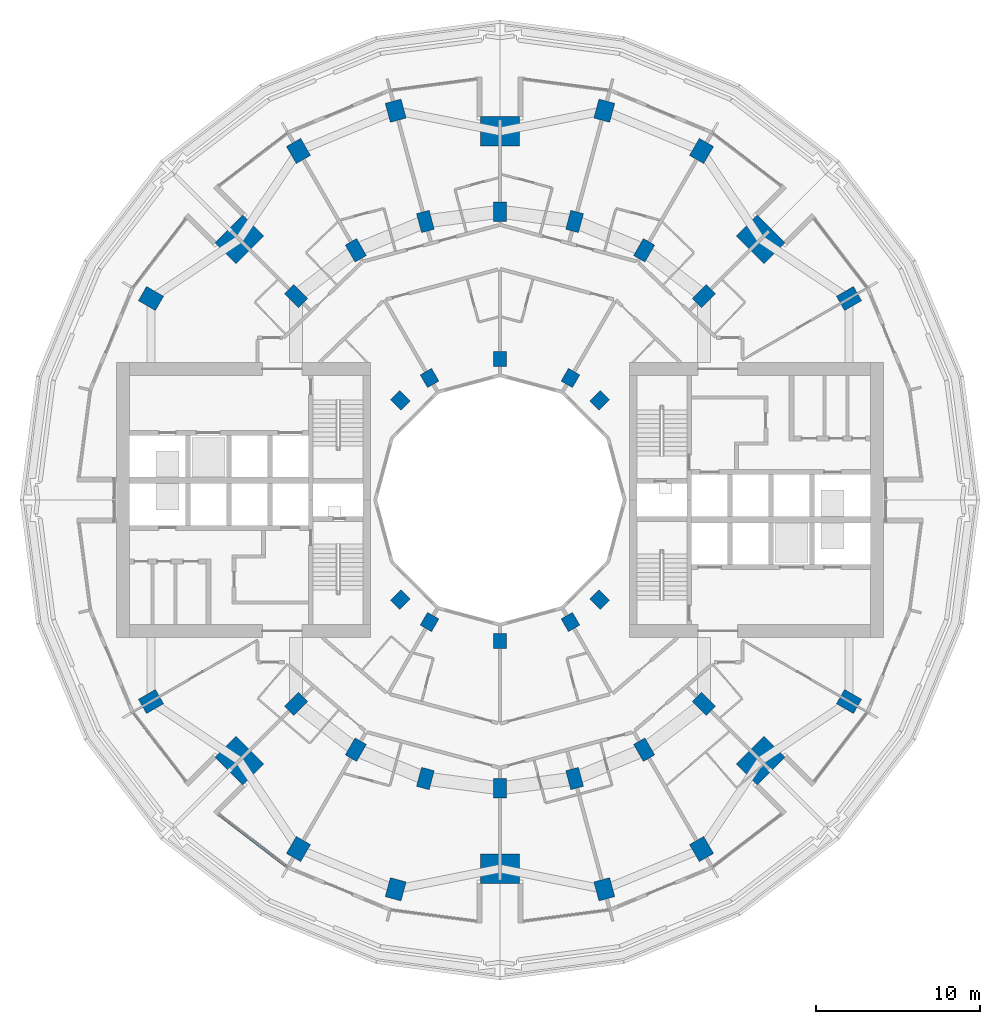
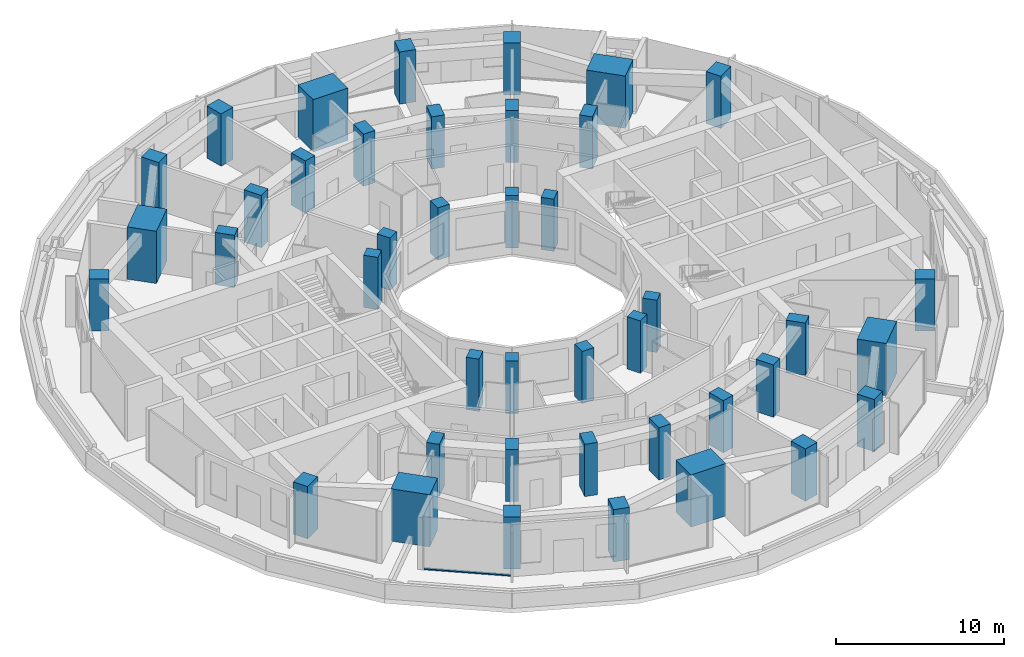
# One storey, part 1 of 19: 42 columns, 1 member, 1 element without a shape of its own.
"""IFC4 building model written with IfcOpenShell, lengths in metres."""

from ifc_helpers import new_model, si_unit, direction, frame, origin, origin_2d, place, context, subcontext, project, spatial, rectangle, extrude, material, layer, layer_set, material_profile, profile_set, type_object, element, aggregate, save


model = new_model("IFC4")

# Units and contexts
model_context = context("Model", 3, precision=1e-05, world=origin(), true_north=direction((0.0, 1.0)))
body_context = subcontext(model_context, "Body", "Model", "MODEL_VIEW")
ifc_project = project(units=[si_unit("LENGTHUNIT", "METRE"), si_unit("AREAUNIT", "SQUARE_METRE"), si_unit("VOLUMEUNIT", "CUBIC_METRE"), si_unit("PLANEANGLEUNIT", "RADIAN"), si_unit("MASSUNIT", "GRAM", prefix="KILO")], contexts=[model_context])

# Site, building, storey
site_placement = place(None, origin())
site = spatial("IfcSite", under=ifc_project, at=site_placement, CompositionType="ELEMENT")
building_placement = place(site_placement, origin())
building = spatial("IfcBuilding", under=site, at=building_placement, Name="Torre Brocal", CompositionType="ELEMENT")
storey_placement = place(building_placement, frame((0.0, 0.0, 28.800048828125)))
storey = spatial("IfcBuildingStorey", under=building, at=storey_placement, Name="L05", CompositionType="ELEMENT", Elevation=28.800048828125)

# Columns
ifc_material_1 = material(Name="Concrete C80", Category="concrete")
ifc_material_profile_1 = material_profile(ifc_material_1, rectangle(XDim=1.199951171875, YDim=1.0, at=origin_2d()), Name="RC 1200X1000")
ifc_profile_set_1 = profile_set([ifc_material_profile_1], Name="Concrete C80")
column_type_1 = type_object("IfcColumnType", Name="RC COLUMN 1200X1000 C80", PredefinedType="COLUMN", material=ifc_profile_set_1)
for number, where, z_axis, x_axis, name in (
    (1, (101.30419921875, 87.300048828125, 0.0), (0.0, 0.0, 1.0), (0.866025403784, 0.5, 0.0), "Column C-O02"),
    (2, (92.300048828125, 96.30419921875, 0.0), (0.0, 0.0, 1.0), (0.5, 0.866025403784, 0.0), "Column C-O04"),
    (3, (86.366943359375, 98.76171875, 0.0), (0.0, 0.0, 1.0), (0.258819045103, 0.965925826289, 0.0), "Column C-O05"),
    (4, (73.633056640625, 98.76171875, 0.0), (0.0, 0.0, 1.0), (-0.258819045103, 0.965925826289, 0.0), "Column C-O07"),
    (5, (67.699951171875, 96.30419921875, 0.0), (0.0, 0.0, 1.0), (-0.5, 0.866025403784, 0.0), "Column C-O08"),
    (6, (58.69580078125, 87.300048828125, 0.0), (0.0, 0.0, 1.0), (-0.866025403784, 0.5, 0.0), "Column C-O10"),
    (7, (58.69580078125, 62.699951171875, 0.0), (0.0, 0.0, 1.0), (-0.866025403784, -0.5, 0.0), "Column C-O14"),
    (8, (67.699951171875, 53.69580078125, 0.0), (0.0, 0.0, 1.0), (-0.5, -0.866025403784, 0.0), "Column C-O16"),
    (9, (73.633056640625, 51.23828125, 0.0), (0.0, 0.0, 1.0), (-0.258819045103, -0.965925826289, 0.0), "Column C-O17"),
    (10, (86.366943359375, 51.23828125, 0.0), (0.0, 0.0, 1.0), (0.258819045103, -0.965925826289, 0.0), "Column C-O19"),
    (11, (92.300048828125, 53.69580078125, 0.0), (0.0, 0.0, 1.0), (0.5, -0.866025403784, 0.0), "Column C-O20"),
    (12, (101.30419921875, 62.699951171875, 0.0), (0.0, 0.0, 1.0), (0.866025403784, -0.5, 0.0), "Column C-O22"),
):
    element("IfcColumn", number, at=place(storey_placement, frame(where, z_axis=z_axis, x_axis=x_axis)), inside=storey, type_object=column_type_1, Name=name, PredefinedType="COLUMN", context=body_context, shape_type="SweptSolid", body=[
        extrude(rectangle(XDim=1.199951171875, YDim=1.0, at=origin_2d()), origin(), (0.0, 0.0, 1.0), 3.800048828125),
    ])
ifc_material_2 = material(Name="Concrete C80", Category="concrete")
ifc_material_profile_2 = material_profile(ifc_material_2, rectangle(XDim=1.199951171875, YDim=0.800048828125, at=origin_2d()), Name="RC 1200X800")
ifc_profile_set_2 = profile_set([ifc_material_profile_2], Name="Concrete C80")
column_type_2 = type_object("IfcColumnType", Name="RC COLUMN 1200X800 C80", PredefinedType="COLUMN", material=ifc_profile_set_2)
for number, where, z_axis, x_axis, name in (
    (13, (92.445068359375, 87.445068359375, 0.0), (0.0, 0.0, 1.0), (0.707106781187, 0.707106781187, 0.0), "Column C-M03"),
    (14, (88.800048828125, 90.241943359375, 0.0), (0.0, 0.0, 1.0), (0.5, 0.866025403784, 0.0), "Column C-M04"),
    (15, (84.55517578125, 92.000244140625, 0.0), (0.0, 0.0, 1.0), (0.258819045103, 0.965925826289, 0.0), "Column C-M05"),
    (16, (80.0, 92.60009765625, 0.0), (0.0, 0.0, 1.0), (0.0, 1.0, 0.0), "Column C-M06"),
    (17, (75.44482421875, 92.000244140625, 0.0), (0.0, 0.0, 1.0), (-0.258819045103, 0.965925826289, 0.0), "Column C-M07"),
    (18, (71.199951171875, 90.241943359375, 0.0), (0.0, 0.0, 1.0), (-0.5, 0.866025403784, 0.0), "Column C-M08"),
    (19, (67.554931640625, 87.445068359375, 0.0), (0.0, 0.0, 1.0), (-0.707106781187, 0.707106781187, 0.0), "Column C-M09"),
    (20, (67.554931640625, 62.554931640625, 0.0), (0.0, 0.0, 1.0), (-0.707106781187, -0.707106781187, 0.0), "Column C-M15"),
    (21, (71.199951171875, 59.758056640625, 0.0), (0.0, 0.0, 1.0), (-0.5, -0.866025403784, 0.0), "Column C-M16"),
    (22, (75.44482421875, 57.999755859375, 0.0), (0.0, 0.0, 1.0), (-0.258819045103, -0.965925826289, 0.0), "Column C-M17"),
    (23, (80.0, 57.39990234375, 0.0), (0.0, 0.0, 1.0), (0.0, -1.0, 0.0), "Column C-M18"),
    (24, (84.55517578125, 57.999755859375, 0.0), (0.0, 0.0, 1.0), (0.258819045103, -0.965925826289, 0.0), "Column C-M19"),
    (25, (88.800048828125, 59.758056640625, 0.0), (0.0, 0.0, 1.0), (0.5, -0.866025403784, 0.0), "Column C-M20"),
    (26, (92.445068359375, 62.554931640625, 0.0), (0.0, 0.0, 1.0), (0.707106781187, -0.707106781187, 0.0), "Column C-M21"),
):
    element("IfcColumn", number, at=place(storey_placement, frame(where, z_axis=z_axis, x_axis=x_axis)), inside=storey, type_object=column_type_2, Name=name, PredefinedType="COLUMN", context=body_context, shape_type="SweptSolid", body=[
        extrude(rectangle(XDim=1.199951171875, YDim=0.800048828125, at=origin_2d()), origin(), (0.0, 0.0, 1.0), 3.800048828125),
    ])
ifc_material_3 = material(Name="Concrete C80", Category="concrete")
ifc_material_profile_3 = material_profile(ifc_material_3, rectangle(XDim=1.800048828125, YDim=2.39990234375, at=origin_2d()), Name="RC 1800X2400")
ifc_profile_set_3 = profile_set([ifc_material_profile_3], Name="Concrete C80")
column_type_3 = type_object("IfcColumnType", Name="RC COLUMN 1800X2400 C80", PredefinedType="COLUMN", material=ifc_profile_set_3)
for number, where, z_axis, x_axis, name in (
    (27, (95.909912109375, 90.909912109375, 0.0), (0.0, 0.0, 1.0), (0.707106781187, 0.707106781187, 0.0), "Column MC-1"),
    (28, (80.0, 97.5, 0.0), (0.0, 0.0, 1.0), (0.0, 1.0, 0.0), "Column MC-2"),
    (29, (64.090087890625, 90.909912109375, 0.0), (0.0, 0.0, 1.0), (-0.707106781187, 0.707106781187, 0.0), "Column MC-3"),
    (30, (64.090087890625, 59.090087890625, 0.0), (0.0, 0.0, 1.0), (-0.707106781187, -0.707106781187, 0.0), "Column MC-5"),
    (31, (80.0, 52.5, 0.0), (0.0, 0.0, 1.0), (0.0, -1.0, 0.0), "Column MC-6"),
    (32, (95.909912109375, 59.090087890625, 0.0), (0.0, 0.0, 1.0), (0.707106781187, -0.707106781187, 0.0), "Column MC-7"),
):
    element("IfcColumn", number, at=place(storey_placement, frame(where, z_axis=z_axis, x_axis=x_axis)), inside=storey, type_object=column_type_3, Name=name, PredefinedType="COLUMN", context=body_context, shape_type="SweptSolid", body=[
        extrude(rectangle(XDim=1.800048828125, YDim=2.39990234375, at=origin_2d()), origin(), (0.0, 0.0, 1.0), 3.800048828125),
    ])
ifc_material_4 = material(Name="Concrete C80", Category="concrete")
ifc_material_profile_4 = material_profile(ifc_material_4, rectangle(XDim=0.89990234375, YDim=0.800048828125, at=origin_2d()), Name="RC 900X800")
ifc_profile_set_4 = profile_set([ifc_material_profile_4], Name="Concrete C80")
column_type_4 = type_object("IfcColumnType", Name="RC COLUMN 900X800 C80", PredefinedType="COLUMN", material=ifc_profile_set_4)
for number, where, z_axis, x_axis, name in (
    (33, (86.0810546875, 81.0810546875, 0.0), (0.0, 0.0, 1.0), (0.707106781187, 0.707106781187, 0.0), "Column C-I03"),
    (34, (84.300048828125, 82.44775390625, 0.0), (0.0, 0.0, 1.0), (0.5, 0.866025403784, 0.0), "Column C-I04"),
    (35, (80.0, 83.60009765625, 0.0), (0.0, 0.0, 1.0), (0.0, 1.0, 0.0), "Column C-I06"),
    (36, (75.699951171875, 82.44775390625, 0.0), (0.0, 0.0, 1.0), (-0.5, 0.866025403784, 0.0), "Column C-I08"),
    (37, (73.9189453125, 81.0810546875, 0.0), (0.0, 0.0, 1.0), (-0.707106781187, 0.707106781187, 0.0), "Column C-I09"),
    (38, (73.9189453125, 68.9189453125, 0.0), (0.0, 0.0, 1.0), (-0.707106781187, -0.707106781187, 0.0), "Column C-I15"),
    (39, (75.699951171875, 67.55224609375, 0.0), (0.0, 0.0, 1.0), (-0.5, -0.866025403784, 0.0), "Column C-I16"),
    (40, (80.0, 66.39990234375, 0.0), (0.0, 0.0, 1.0), (0.0, -1.0, 0.0), "Column C-I18"),
    (41, (84.300048828125, 67.55224609375, 0.0), (0.0, 0.0, 1.0), (0.5, -0.866025403784, 0.0), "Column C-I20"),
    (42, (86.0810546875, 68.9189453125, 0.0), (0.0, 0.0, 1.0), (0.707106781187, -0.707106781187, 0.0), "Column C-I21"),
):
    element("IfcColumn", number, at=place(storey_placement, frame(where, z_axis=z_axis, x_axis=x_axis)), inside=storey, type_object=column_type_4, Name=name, PredefinedType="COLUMN", context=body_context, shape_type="SweptSolid", body=[
        extrude(rectangle(XDim=0.89990234375, YDim=0.800048828125, at=origin_2d()), origin(), (0.0, 0.0, 1.0), 3.800048828125),
    ])

# Curtain wall, member
ifc_material_5 = material(Name="Aluminium and glass", Category="aluminium")
ifc_layer = layer(ifc_material_5, 0.199951171875)
ifc_layer_set = layer_set([ifc_layer], Name="Aluminium and glass")
curtain_wall_type = type_object("IfcCurtainWallType", Name="CW-1 CURTAIN WALL 3800 HIGH", PredefinedType="NOTDEFINED", material=ifc_layer_set)
curtain_wall_placement = place(storey_placement, origin())
curtain_wall = element("IfcCurtainWall", 43, at=curtain_wall_placement, inside=storey, type_object=curtain_wall_type, Name="CW-1 RUN 16", PredefinedType="NOTDEFINED")
ifc_material_6 = material(Name="Aluminium, dark anodised", Category="aluminium")
ifc_material_profile_5 = material_profile(ifc_material_6, rectangle(XDim=0.159912109375, YDim=0.080078125, at=origin_2d()), Name="CW-1 TRANSOM 160X80")
ifc_profile_set_5 = profile_set([ifc_material_profile_5], Name="Aluminium, dark anodised")
member_type = type_object("IfcMemberType", Name="CW-1 TRANSOM 160X80", PredefinedType="USERDEFINED", material=ifc_profile_set_5)
member_placement = place(storey_placement, frame((62.8544921875, 55.790283203125, 0.0400390625), z_axis=(0.79336281513, -0.60874908096, 0.0), x_axis=(0.60874908096, 0.79336281513, 0.0)))
member = element("IfcMember", 44, at=member_placement, type_object=member_type, Name="CW1-1 transom 1.1", ObjectType="TRANSOM", PredefinedType="USERDEFINED", context=body_context, shape_type="SweptSolid", body=[
    extrude(rectangle(XDim=0.159912109375, YDim=0.080078125, at=origin_2d()), origin(), (0.0, 0.0, 1.0), 5.22900390625),
])
aggregate(curtain_wall, [member])

save(model, "model.ifc")
